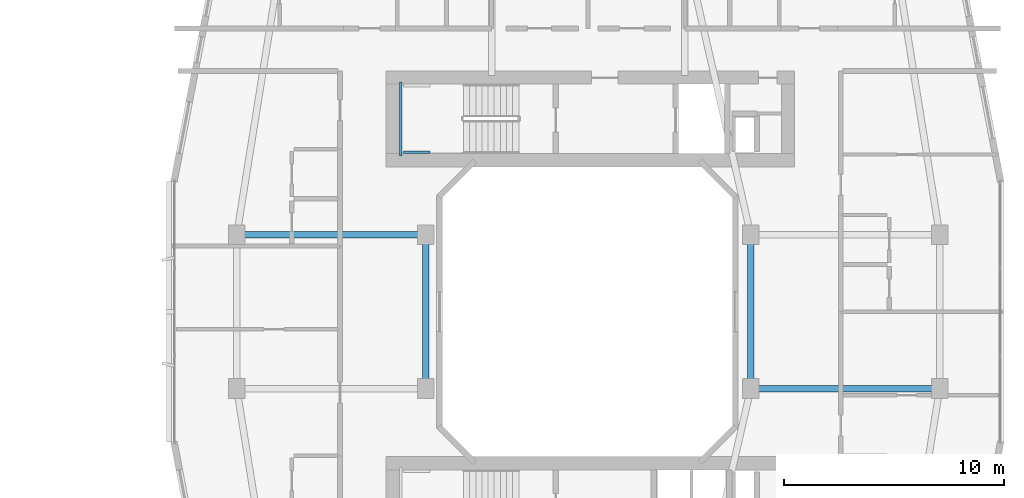
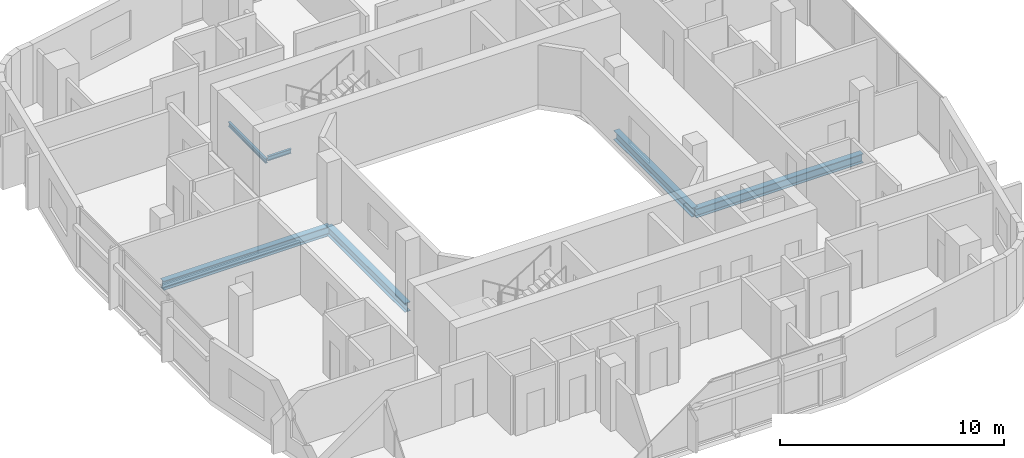
# One storey, part 9 of 26: 6 beams.
"""IFC4 building model written with IfcOpenShell, lengths in metres."""

from ifc_helpers import new_model, si_unit, derived_unit, direction, frame, origin, origin_2d, place, context, subcontext, project, spatial, i_section, extrude, material, material_profile, profile_set, type_object, element, save


model = new_model("IFC4")

# Units and contexts
model_context = context("Model", 3, precision=1e-05, world=origin(), true_north=direction((0.0, 1.0)))
body_context = subcontext(model_context, "Body", "Model", "MODEL_VIEW")
ifc_project = project(units=[si_unit("LENGTHUNIT", "METRE"), si_unit("AREAUNIT", "SQUARE_METRE"), si_unit("VOLUMEUNIT", "CUBIC_METRE"), si_unit("PLANEANGLEUNIT", "RADIAN"), si_unit("MASSUNIT", "GRAM", prefix="KILO"), derived_unit("THERMALTRANSMITTANCEUNIT", [(si_unit("POWERUNIT", "WATT"), 1), (si_unit("LENGTHUNIT", "METRE"), -2), (si_unit("THERMODYNAMICTEMPERATUREUNIT", "KELVIN"), -1)])], contexts=[model_context])

# Site, building, storey
site_placement = place(None, origin())
site = spatial("IfcSite", under=ifc_project, at=site_placement, CompositionType="ELEMENT")
building_placement = place(site_placement, origin())
building = spatial("IfcBuilding", under=site, at=building_placement, Name="Kivonza Crest Hotel", CompositionType="ELEMENT")
storey_placement = place(building_placement, frame((0.0, 0.0, 55.5)))
storey = spatial("IfcBuildingStorey", under=building, at=storey_placement, Name="L14", CompositionType="ELEMENT", Elevation=55.5)

# Beams
ifc_material = material(Name="Steel S355", Category="steel")
ifc_material_profile_1 = material_profile(ifc_material, i_section(OverallWidth=0.300048828125, OverallDepth=0.5, WebThickness=0.014404296875, FlangeThickness=0.028076171875, FilletRadius=0.027099609375, at=origin_2d()), Name="HEB 500")
ifc_profile_set_1 = profile_set([ifc_material_profile_1], Name="Steel S355")
beam_type_1 = type_object("IfcBeamType", Name="BM-HEB500", PredefinedType="BEAM", material=ifc_profile_set_1)
beam_1_placement = place(storey_placement, frame((61.0, 28.5, -0.5), z_axis=(1.0, 0.0, 0.0), x_axis=(0.0, 1.0, 0.0)))
element("IfcBeam", 1, at=beam_1_placement, inside=storey, type_object=beam_type_1, Name="Companion Tower T2 L14 girder W2-WL2", PredefinedType="BEAM", context=body_context, shape_type="SweptSolid", body=[
    extrude(i_section(OverallWidth=0.300048828125, OverallDepth=0.5, WebThickness=0.014404296875, FlangeThickness=0.028076171875, FilletRadius=0.027099609375, at=origin_2d()), origin(), (0.0, 0.0, 1.0), 8.60009765625),
])
beam_2_placement = place(storey_placement, frame((69.60009765625, 21.5, -0.5), z_axis=(0.0, 1.0, 0.0), x_axis=(-1.0, 0.0, 0.0)))
element("IfcBeam", 2, at=beam_2_placement, inside=storey, type_object=beam_type_1, Name="Companion Tower T2 L14 girder WL1-WL2", PredefinedType="BEAM", context=body_context, shape_type="SweptSolid", body=[
    extrude(i_section(OverallWidth=0.300048828125, OverallDepth=0.5, WebThickness=0.014404296875, FlangeThickness=0.028076171875, FilletRadius=0.027099609375, at=origin_2d()), origin(), (0.0, 0.0, 1.0), 7.0),
])
beam_3_placement = place(storey_placement, frame((84.39990234375, 21.5, -0.5), z_axis=(1.0, 0.0, 0.0), x_axis=(0.0, 1.0, 0.0)))
element("IfcBeam", 3, at=beam_3_placement, inside=storey, type_object=beam_type_1, Name="Companion Tower T2 L14 girder WR1-E1", PredefinedType="BEAM", context=body_context, shape_type="SweptSolid", body=[
    extrude(i_section(OverallWidth=0.300048828125, OverallDepth=0.5, WebThickness=0.014404296875, FlangeThickness=0.028076171875, FilletRadius=0.027099609375, at=origin_2d()), origin(), (0.0, 0.0, 1.0), 8.60009765625),
])
beam_4_placement = place(storey_placement, frame((84.39990234375, 21.5, -0.5), z_axis=(0.0, 1.0, 0.0), x_axis=(-1.0, 0.0, 0.0)))
element("IfcBeam", 4, at=beam_4_placement, inside=storey, type_object=beam_type_1, Name="Companion Tower T2 L14 girder WR1-WR2", PredefinedType="BEAM", context=body_context, shape_type="SweptSolid", body=[
    extrude(i_section(OverallWidth=0.300048828125, OverallDepth=0.5, WebThickness=0.014404296875, FlangeThickness=0.028076171875, FilletRadius=0.027099609375, at=origin_2d()), origin(), (0.0, 0.0, 1.0), 7.0),
])
ifc_material_profile_2 = material_profile(ifc_material, i_section(OverallWidth=0.1201171875, OverallDepth=0.239990234375, WebThickness=0.006103515625, FlangeThickness=0.009765625, FilletRadius=0.014892578125, at=origin_2d()), Name="IPE 240")
ifc_profile_set_2 = profile_set([ifc_material_profile_2], Name="Steel S355")
beam_type_2 = type_object("IfcBeamType", Name="BM-LLDG-240", PredefinedType="BEAM", material=ifc_profile_set_2)
beam_5_placement = place(storey_placement, frame((68.4599609375, 32.10009765625, 1.429931640625), z_axis=(0.0, 1.0, 0.0), x_axis=(-1.0, 0.0, 0.0)))
element("IfcBeam", 5, at=beam_5_placement, inside=storey, type_object=beam_type_2, Name="Stair ST-T2-N L14 West landing corbel", PredefinedType="BEAM", context=body_context, shape_type="SweptSolid", body=[
    extrude(i_section(OverallWidth=0.1201171875, OverallDepth=0.239990234375, WebThickness=0.006103515625, FlangeThickness=0.009765625, FilletRadius=0.014892578125, at=origin_2d()), origin(), (0.0, 0.0, 1.0), 3.35986328125),
])
beam_6_placement = place(storey_placement, frame((68.590087890625, 32.260009765625, 1.429931640625), z_axis=(1.0, 0.0, 0.0), x_axis=(0.0, 1.0, 0.0)))
element("IfcBeam", 6, at=beam_6_placement, inside=storey, type_object=beam_type_2, Name="Stair ST-T2-N L14 South landing corbel", PredefinedType="BEAM", context=body_context, shape_type="SweptSolid", body=[
    extrude(i_section(OverallWidth=0.1201171875, OverallDepth=0.239990234375, WebThickness=0.006103515625, FlangeThickness=0.009765625, FilletRadius=0.014892578125, at=origin_2d()), origin(), (0.0, 0.0, 1.0), 1.2099609375),
])

save(model, "model.ifc")
